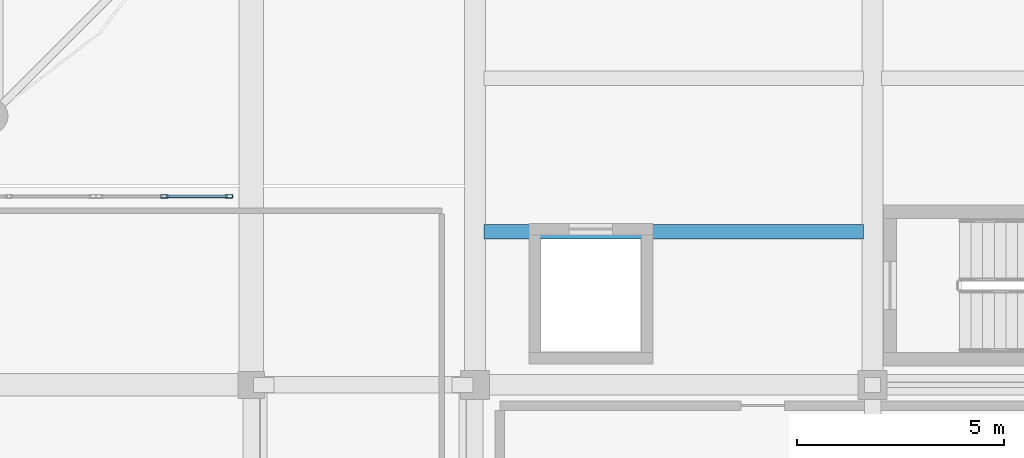
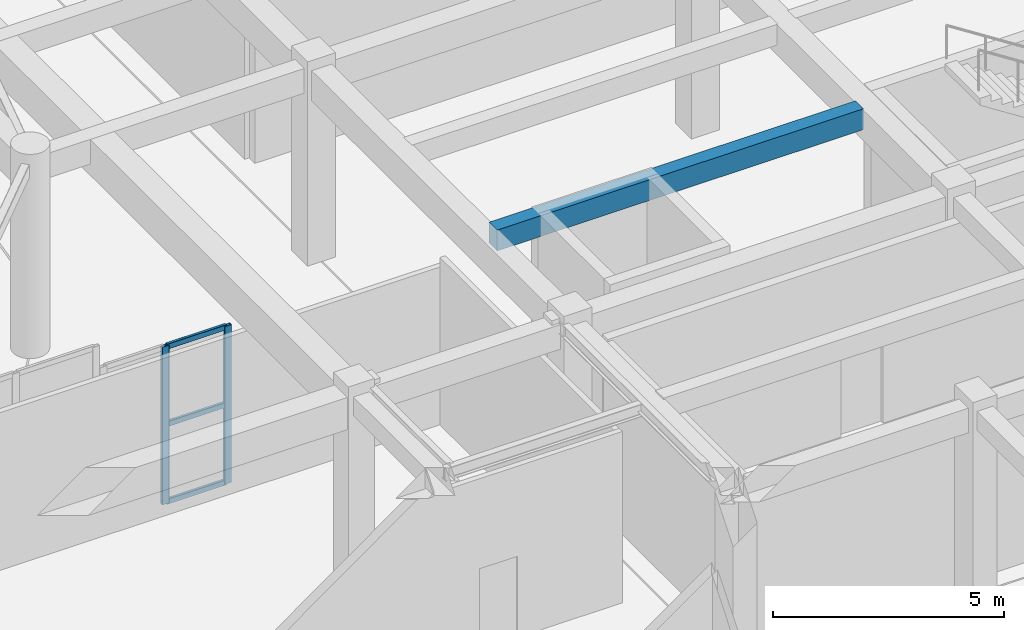
# One storey, part 40 of 98: 5 members, 1 beam, 1 element without a shape of its own.
"""IFC4 building model written with IfcOpenShell, lengths in metres."""

from ifc_helpers import new_model, si_unit, direction, frame, origin, origin_2d, place, context, subcontext, project, spatial, rectangle, hollow_rectangle, extrude, material, layer, layer_set, material_profile, profile_set, type_object, element, aggregate, save


model = new_model("IFC4")

# Units and contexts
model_context = context("Model", 3, precision=1e-05, world=origin(), true_north=direction((0.0, 1.0)))
body_context = subcontext(model_context, "Body", "Model", "MODEL_VIEW")
ifc_project = project(units=[si_unit("LENGTHUNIT", "METRE"), si_unit("AREAUNIT", "SQUARE_METRE"), si_unit("VOLUMEUNIT", "CUBIC_METRE"), si_unit("PLANEANGLEUNIT", "RADIAN"), si_unit("MASSUNIT", "GRAM", prefix="KILO")], contexts=[model_context])

# Site, building, storey
site_placement = place(None, origin())
site = spatial("IfcSite", under=ifc_project, at=site_placement, CompositionType="ELEMENT")
building_placement = place(site_placement, origin())
building = spatial("IfcBuilding", under=site, at=building_placement, Name="Tarnavel Promenade Courthouse", CompositionType="ELEMENT")
storey_placement = place(building_placement, origin())
storey = spatial("IfcBuildingStorey", under=building, at=storey_placement, Name="L01", CompositionType="ELEMENT", Elevation=0.0)

# Beam
ifc_material_1 = material(Name="Concrete C40/50", Category="concrete")
ifc_material_profile_1 = material_profile(ifc_material_1, rectangle(XDim=0.35009765625, YDim=0.550048828125, at=origin_2d()), Name="PT 350x550")
ifc_profile_set_1 = profile_set([ifc_material_profile_1], Name="Concrete C40/50")
beam_type = type_object("IfcBeamType", Name="Concrete C40/50 BM-PT-350x550 (PT 350x550)", PredefinedType="JOIST", material=ifc_profile_set_1)
beam_placement = place(storey_placement, frame((120.219970703125, 78.10009765625, 4.860107421875), z_axis=(1.0, 0.0, 0.0), x_axis=(0.0, 1.0, 0.0)))
element("IfcBeam", 1, at=beam_placement, inside=storey, type_object=beam_type, Name="L01 Secondary Floor Rib 0954", PredefinedType="JOIST", context=body_context, shape_type="SweptSolid", body=[
    extrude(rectangle(XDim=0.35009765625, YDim=0.550048828125, at=origin_2d()), origin(), (0.0, 0.0, 1.0), 9.159912109375),
])

# Curtain wall, members
ifc_material_2 = material(Name="Thermally Broken Anodised Aluminium Curtain Wall System", Category="aluminium")
ifc_layer = layer(ifc_material_2, 0.2099609375)
ifc_layer_set = layer_set([ifc_layer], Name="Thermally Broken Anodised Aluminium Curtain Wall System")
curtain_wall_type = type_object("IfcCurtainWallType", Name="Thermally Broken Aluminium Triple-Glazed Curtain Wall CW-WG-N", PredefinedType="NOTDEFINED", material=ifc_layer_set)
curtain_wall_placement = place(storey_placement, origin())
curtain_wall = element("IfcCurtainWall", 2, at=curtain_wall_placement, inside=storey, type_object=curtain_wall_type, Name="L01 Winter-Garden North Curtain Wall 107", PredefinedType="NOTDEFINED")
ifc_material_3 = material(Name="Thermally Broken Anodised Aluminium Frame", Category="aluminium")
ifc_material_profile_2 = material_profile(ifc_material_3, hollow_rectangle(XDim=0.080078125, YDim=0.179931640625, WallThickness=0.0048828125, InnerFilletRadius=0.0048828125, OuterFilletRadius=0.010009765625, at=origin_2d()), Name="CWM 180x80x5")
ifc_profile_set_2 = profile_set([ifc_material_profile_2], Name="Thermally Broken Anodised Aluminium Frame")
member_type_1 = type_object("IfcMemberType", Name="Thermally Broken Anodised Aluminium CWM-155 (CWM 180x80x5)", PredefinedType="MULLION", material=ifc_profile_set_2)
member_1_placement = place(storey_placement, frame((112.5, 78.949951171875, 0.0), z_axis=(0.0, 0.0, 1.0), x_axis=(0.0, 1.0, 0.0)))
member_1 = element("IfcMember", 3, at=member_1_placement, type_object=member_type_1, Name="CW-03 mullion 2", PredefinedType="MULLION", context=body_context, shape_type="SweptSolid", body=[
    extrude(hollow_rectangle(XDim=0.080078125, YDim=0.179931640625, WallThickness=0.0048828125, InnerFilletRadius=0.0048828125, OuterFilletRadius=0.010009765625, at=origin_2d()), origin(), (0.0, 0.0, 1.0), 4.169921875),
])
member_2_placement = place(storey_placement, frame((114.06005859375, 78.949951171875, 0.0), z_axis=(0.0, 0.0, 1.0), x_axis=(0.0, 1.0, 0.0)))
member_2 = element("IfcMember", 4, at=member_2_placement, type_object=member_type_1, Name="CW-03 mullion 3", PredefinedType="MULLION", context=body_context, shape_type="SweptSolid", body=[
    extrude(hollow_rectangle(XDim=0.080078125, YDim=0.179931640625, WallThickness=0.0048828125, InnerFilletRadius=0.0048828125, OuterFilletRadius=0.010009765625, at=origin_2d()), origin(), (0.0, 0.0, 1.0), 4.169921875),
])
ifc_material_profile_3 = material_profile(ifc_material_3, hollow_rectangle(XDim=0.070068359375, YDim=0.139892578125, WallThickness=0.0048828125, InnerFilletRadius=0.0048828125, OuterFilletRadius=0.010009765625, at=origin_2d()), Name="CWT 140x70x5")
ifc_profile_set_3 = profile_set([ifc_material_profile_3], Name="Thermally Broken Anodised Aluminium Frame")
member_type_2 = type_object("IfcMemberType", Name="Thermally Broken Anodised Aluminium CWT-125 (CWT 140x70x5)", PredefinedType="USERDEFINED", material=ifc_profile_set_3)
member_3_placement = place(storey_placement, frame((112.5400390625, 78.949951171875, 0.034912109375), z_axis=(1.0, 0.0, 0.0), x_axis=(0.0, 1.0, 0.0)))
member_3 = element("IfcMember", 5, at=member_3_placement, type_object=member_type_2, Name="CW-03 transom 2.1", ObjectType="TRANSOM", PredefinedType="USERDEFINED", context=body_context, shape_type="SweptSolid", body=[
    extrude(hollow_rectangle(XDim=0.070068359375, YDim=0.139892578125, WallThickness=0.0048828125, InnerFilletRadius=0.0048828125, OuterFilletRadius=0.010009765625, at=origin_2d()), origin(), (0.0, 0.0, 1.0), 1.47998046875),
])
member_4_placement = place(storey_placement, frame((112.5400390625, 78.949951171875, 2.0849609375), z_axis=(1.0, 0.0, 0.0), x_axis=(0.0, 1.0, 0.0)))
member_4 = element("IfcMember", 6, at=member_4_placement, type_object=member_type_2, Name="CW-03 transom 2.2", ObjectType="TRANSOM", PredefinedType="USERDEFINED", context=body_context, shape_type="SweptSolid", body=[
    extrude(hollow_rectangle(XDim=0.070068359375, YDim=0.139892578125, WallThickness=0.0048828125, InnerFilletRadius=0.0048828125, OuterFilletRadius=0.010009765625, at=origin_2d()), origin(), (0.0, 0.0, 1.0), 1.47998046875),
])
member_5_placement = place(storey_placement, frame((112.5400390625, 78.949951171875, 4.135009765625), z_axis=(1.0, 0.0, 0.0), x_axis=(0.0, 1.0, 0.0)))
member_5 = element("IfcMember", 7, at=member_5_placement, type_object=member_type_2, Name="CW-03 transom 2.3", ObjectType="TRANSOM", PredefinedType="USERDEFINED", context=body_context, shape_type="SweptSolid", body=[
    extrude(hollow_rectangle(XDim=0.070068359375, YDim=0.139892578125, WallThickness=0.0048828125, InnerFilletRadius=0.0048828125, OuterFilletRadius=0.010009765625, at=origin_2d()), origin(), (0.0, 0.0, 1.0), 1.47998046875),
])
aggregate(curtain_wall, [member_1, member_2, member_3, member_4, member_5])

save(model, "model.ifc")
